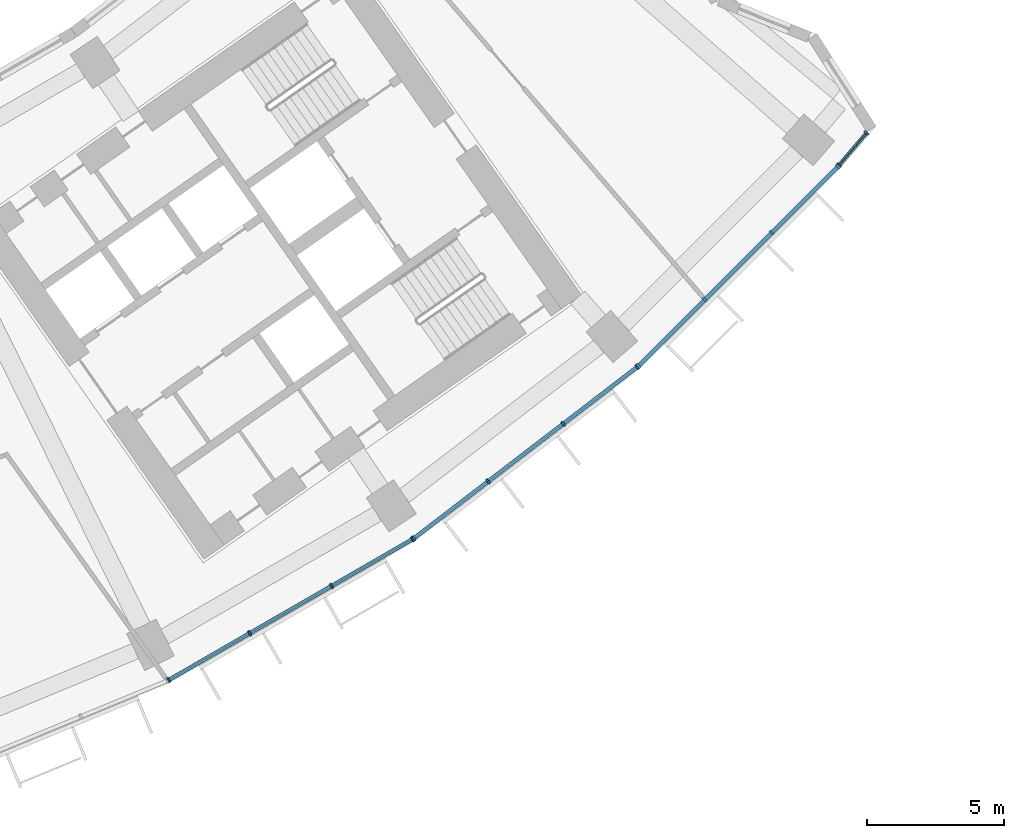
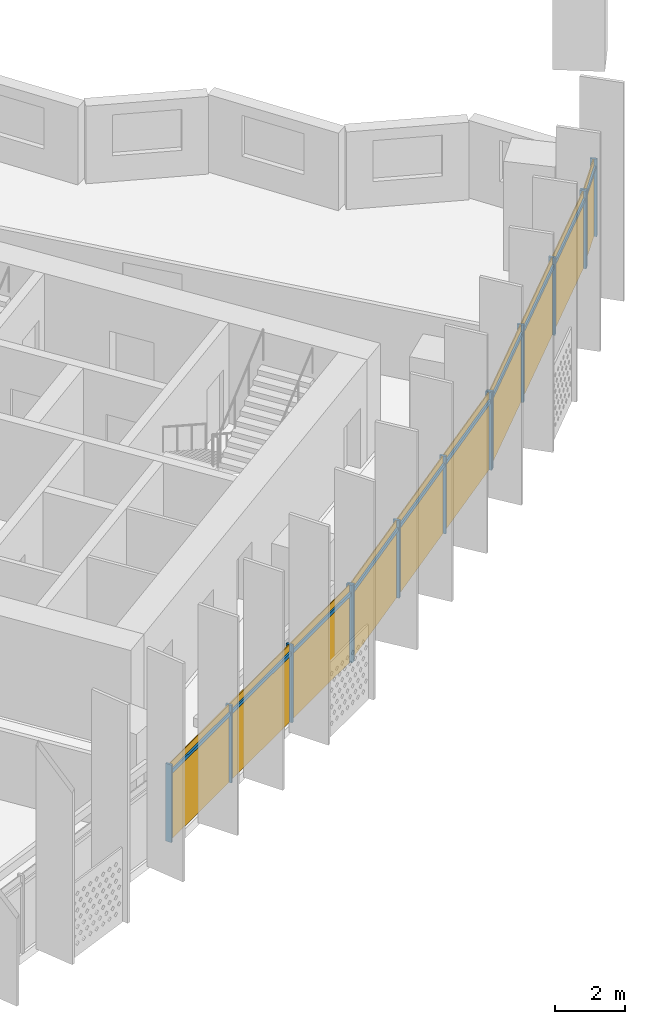
# One storey, part 22 of 30: 24 members, 4 curtain walls.
"""IFC4 building model written with IfcOpenShell, lengths in metres."""

from ifc_helpers import new_model, si_unit, direction, frame, origin, origin_2d, place, context, subcontext, project, spatial, rectangle, extrude, material, material_profile, profile_set, type_object, element, aggregate, save


model = new_model("IFC4")

# Units and contexts
model_context = context("Model", 3, precision=1e-05, world=origin(), true_north=direction((0.0, 1.0)))
body_context = subcontext(model_context, "Body", "Model", "MODEL_VIEW")
ifc_project = project(units=[si_unit("LENGTHUNIT", "METRE"), si_unit("AREAUNIT", "SQUARE_METRE"), si_unit("VOLUMEUNIT", "CUBIC_METRE"), si_unit("PLANEANGLEUNIT", "RADIAN"), si_unit("MASSUNIT", "GRAM", prefix="KILO")], contexts=[model_context])

# Member
ifc_material = material(Name="Aluminium 6063-T6 anodised", Category="aluminium")
ifc_material_profile_1 = material_profile(ifc_material, rectangle(XDim=0.199951171875, YDim=0.070068359375, at=origin_2d()))
ifc_profile_set_1 = profile_set([ifc_material_profile_1], Name="Aluminium 6063-T6 anodised")
member_type_1 = type_object("IfcMemberType", Name="Mullion 70 x 200 aluminium", PredefinedType="MULLION", material=ifc_profile_set_1)
site_placement = place(None, origin())
building_placement = place(site_placement, origin())
storey_placement = place(building_placement, frame((0.0, 0.0, 102.5)))
member_1_placement = place(storey_placement, frame((35.0537109375, -71.017822265625, 0.0), z_axis=(0.0, 0.0, 1.0), x_axis=(-0.5, 0.866025403784, 0.0)))
member_1 = element("IfcMember", 1, at=member_1_placement, type_object=member_type_1, Name="e-cw1-L22-out13/M00", PredefinedType="MULLION", context=body_context, shape_type="SweptSolid", body=[
    extrude(rectangle(XDim=0.199951171875, YDim=0.070068359375, at=origin_2d()), origin(), (0.0, 0.0, 1.0), 2.699951171875),
])

member_2_placement = place(storey_placement, frame((38.017822265625, -69.306640625, 0.0), z_axis=(0.0, 0.0, 1.0), x_axis=(-0.5, 0.866025403784, 0.0)))
member_2 = element("IfcMember", 2, at=member_2_placement, type_object=member_type_1, Name="e-cw1-L22-out13/M01", PredefinedType="MULLION", context=body_context, shape_type="SweptSolid", body=[
    extrude(rectangle(XDim=0.199951171875, YDim=0.070068359375, at=origin_2d()), origin(), (0.0, 0.0, 1.0), 2.699951171875),
])

member_3_placement = place(storey_placement, frame((41.01220703125, -67.577880859375, 0.0), z_axis=(0.0, 0.0, 1.0), x_axis=(-0.5, 0.866025403784, 0.0)))
member_3 = element("IfcMember", 3, at=member_3_placement, type_object=member_type_1, Name="e-cw1-L22-out13/M02", PredefinedType="MULLION", context=body_context, shape_type="SweptSolid", body=[
    extrude(rectangle(XDim=0.199951171875, YDim=0.070068359375, at=origin_2d()), origin(), (0.0, 0.0, 1.0), 2.699951171875),
])

member_4_placement = place(storey_placement, frame((43.976318359375, -65.866455078125, 0.0), z_axis=(0.0, 0.0, 1.0), x_axis=(-0.5, 0.866025403784, 0.0)))
member_4 = element("IfcMember", 4, at=member_4_placement, type_object=member_type_1, Name="e-cw1-L22-out13/M03", PredefinedType="MULLION", context=body_context, shape_type="SweptSolid", body=[
    extrude(rectangle(XDim=0.199951171875, YDim=0.070068359375, at=origin_2d()), origin(), (0.0, 0.0, 1.0), 2.699951171875),
])

member_5_placement = place(storey_placement, frame((44.023681640625, -65.8349609375, 0.0), z_axis=(0.0, 0.0, 1.0), x_axis=(-0.608761429009, 0.793353340291, 0.0)))
member_5 = element("IfcMember", 5, at=member_5_placement, type_object=member_type_1, Name="e-cw1-L22-out14/M00", PredefinedType="MULLION", context=body_context, shape_type="SweptSolid", body=[
    extrude(rectangle(XDim=0.199951171875, YDim=0.070068359375, at=origin_2d()), origin(), (0.0, 0.0, 1.0), 2.699951171875),
])

member_6_placement = place(storey_placement, frame((46.739013671875, -63.751220703125, 0.0), z_axis=(0.0, 0.0, 1.0), x_axis=(-0.608761429009, 0.793353340291, 0.0)))
member_6 = element("IfcMember", 6, at=member_6_placement, type_object=member_type_1, Name="e-cw1-L22-out14/M01", PredefinedType="MULLION", context=body_context, shape_type="SweptSolid", body=[
    extrude(rectangle(XDim=0.199951171875, YDim=0.070068359375, at=origin_2d()), origin(), (0.0, 0.0, 1.0), 2.699951171875),
])

member_7_placement = place(storey_placement, frame((49.482177734375, -61.646484375, 0.0), z_axis=(0.0, 0.0, 1.0), x_axis=(-0.608761429009, 0.793353340291, 0.0)))
member_7 = element("IfcMember", 7, at=member_7_placement, type_object=member_type_1, Name="e-cw1-L22-out14/M02", PredefinedType="MULLION", context=body_context, shape_type="SweptSolid", body=[
    extrude(rectangle(XDim=0.199951171875, YDim=0.070068359375, at=origin_2d()), origin(), (0.0, 0.0, 1.0), 2.699951171875),
])

member_8_placement = place(storey_placement, frame((52.197509765625, -59.56298828125, 0.0), z_axis=(0.0, 0.0, 1.0), x_axis=(-0.608761429009, 0.793353340291, 0.0)))
member_8 = element("IfcMember", 8, at=member_8_placement, type_object=member_type_1, Name="e-cw1-L22-out14/M03", PredefinedType="MULLION", context=body_context, shape_type="SweptSolid", body=[
    extrude(rectangle(XDim=0.199951171875, YDim=0.070068359375, at=origin_2d()), origin(), (0.0, 0.0, 1.0), 2.699951171875),
])

member_9_placement = place(storey_placement, frame((52.240234375, -59.525390625, 0.0), z_axis=(0.0, 0.0, 1.0), x_axis=(-0.707106781187, 0.707106781187, 0.0)))
member_9 = element("IfcMember", 9, at=member_9_placement, type_object=member_type_1, Name="e-cw1-L22-out15/M00", PredefinedType="MULLION", context=body_context, shape_type="SweptSolid", body=[
    extrude(rectangle(XDim=0.199951171875, YDim=0.070068359375, at=origin_2d()), origin(), (0.0, 0.0, 1.0), 2.699951171875),
])

member_10_placement = place(storey_placement, frame((54.660400390625, -57.105224609375, 0.0), z_axis=(0.0, 0.0, 1.0), x_axis=(-0.707106781187, 0.707106781187, 0.0)))
member_10 = element("IfcMember", 10, at=member_10_placement, type_object=member_type_1, Name="e-cw1-L22-out15/M01", PredefinedType="MULLION", context=body_context, shape_type="SweptSolid", body=[
    extrude(rectangle(XDim=0.199951171875, YDim=0.070068359375, at=origin_2d()), origin(), (0.0, 0.0, 1.0), 2.699951171875),
])

member_11_placement = place(storey_placement, frame((57.105224609375, -54.660400390625, 0.0), z_axis=(0.0, 0.0, 1.0), x_axis=(-0.707106781187, 0.707106781187, 0.0)))
member_11 = element("IfcMember", 11, at=member_11_placement, type_object=member_type_1, Name="e-cw1-L22-out15/M02", PredefinedType="MULLION", context=body_context, shape_type="SweptSolid", body=[
    extrude(rectangle(XDim=0.199951171875, YDim=0.070068359375, at=origin_2d()), origin(), (0.0, 0.0, 1.0), 2.699951171875),
])

member_12_placement = place(storey_placement, frame((59.525390625, -52.240234375, 0.0), z_axis=(0.0, 0.0, 1.0), x_axis=(-0.707106781187, 0.707106781187, 0.0)))
member_12 = element("IfcMember", 12, at=member_12_placement, type_object=member_type_1, Name="e-cw1-L22-out15/M03", PredefinedType="MULLION", context=body_context, shape_type="SweptSolid", body=[
    extrude(rectangle(XDim=0.199951171875, YDim=0.070068359375, at=origin_2d()), origin(), (0.0, 0.0, 1.0), 2.699951171875),
])

member_13_placement = place(storey_placement, frame((59.567626953125, -52.194580078125, 0.0), z_axis=(0.0, 0.0, 1.0), x_axis=(-0.760138256011, 0.649761365233, 0.0)))
member_13 = element("IfcMember", 13, at=member_13_placement, type_object=member_type_1, Name="e-cw1-L22-out16/M00", PredefinedType="MULLION", context=body_context, shape_type="SweptSolid", body=[
    extrude(rectangle(XDim=0.199951171875, YDim=0.070068359375, at=origin_2d()), origin(), (0.0, 0.0, 1.0), 2.699951171875),
])

member_14_placement = place(storey_placement, frame((60.578369140625, -51.011962890625, 0.0), z_axis=(0.0, 0.0, 1.0), x_axis=(-0.760138256011, 0.649761365233, 0.0)))
member_14 = element("IfcMember", 14, at=member_14_placement, type_object=member_type_1, Name="e-cw1-L22-out16/M01", PredefinedType="MULLION", context=body_context, shape_type="SweptSolid", body=[
    extrude(rectangle(XDim=0.199951171875, YDim=0.070068359375, at=origin_2d()), origin(), (0.0, 0.0, 1.0), 2.699951171875),
])

ifc_material_profile_2 = material_profile(ifc_material, rectangle(XDim=0.139892578125, YDim=0.1201171875, at=origin_2d()))
ifc_profile_set_2 = profile_set([ifc_material_profile_2], Name="Aluminium 6063-T6 anodised")
member_type_2 = type_object("IfcMemberType", Name="Transom 120 x 140 aluminium", PredefinedType="USERDEFINED", material=ifc_profile_set_2)
member_15_placement = place(storey_placement, frame((35.084228515625, -71.00048828125, 2.39990234375), z_axis=(0.865989120267, 0.50006283963, 0.0), x_axis=(-0.50006283963, 0.865989120267, 0.0)))
member_15 = element("IfcMember", 15, at=member_15_placement, type_object=member_type_2, Name="e-cw1-L22-out13/T00", ObjectType="TRANSOM", PredefinedType="USERDEFINED", context=body_context, shape_type="SweptSolid", body=[
    extrude(rectangle(XDim=0.139892578125, YDim=0.1201171875, at=origin_2d()), origin(), (0.0, 0.0, 1.0), 3.3525390625),
])

member_16_placement = place(storey_placement, frame((38.048095703125, -69.2890625, 2.39990234375), z_axis=(0.866025971257, 0.499999017107, 0.0), x_axis=(-0.499999017107, 0.866025971257, 0.0)))
member_16 = element("IfcMember", 16, at=member_16_placement, type_object=member_type_2, Name="e-cw1-L22-out13/T01", ObjectType="TRANSOM", PredefinedType="USERDEFINED", context=body_context, shape_type="SweptSolid", body=[
    extrude(rectangle(XDim=0.139892578125, YDim=0.1201171875, at=origin_2d()), origin(), (0.0, 0.0, 1.0), 3.3876953125),
])

member_17_placement = place(storey_placement, frame((41.042724609375, -67.560302734375, 2.39990234375), z_axis=(0.866020654818, 0.50000822536, 0.0), x_axis=(-0.50000822536, 0.866020654818, 0.0)))
member_17 = element("IfcMember", 17, at=member_17_placement, type_object=member_type_2, Name="e-cw1-L22-out13/T02", ObjectType="TRANSOM", PredefinedType="USERDEFINED", context=body_context, shape_type="SweptSolid", body=[
    extrude(rectangle(XDim=0.139892578125, YDim=0.1201171875, at=origin_2d()), origin(), (0.0, 0.0, 1.0), 3.3525390625),
])

member_18_placement = place(storey_placement, frame((44.05126953125, -65.8134765625, 2.39990234375), z_axis=(0.793389477316, 0.608714331426, 0.0), x_axis=(-0.608714331426, 0.793389477316, 0.0)))
member_18 = element("IfcMember", 18, at=member_18_placement, type_object=member_type_2, Name="e-cw1-L22-out14/T00", ObjectType="TRANSOM", PredefinedType="USERDEFINED", context=body_context, shape_type="SweptSolid", body=[
    extrude(rectangle(XDim=0.139892578125, YDim=0.1201171875, at=origin_2d()), origin(), (0.0, 0.0, 1.0), 3.3525390625),
])

member_19_placement = place(storey_placement, frame((46.766845703125, -63.72998046875, 2.39990234375), z_axis=(0.793344133173, 0.608773427772, 0.0), x_axis=(-0.608773427772, 0.793344133173, 0.0)))
member_19 = element("IfcMember", 19, at=member_19_placement, type_object=member_type_2, Name="e-cw1-L22-out14/T01", ObjectType="TRANSOM", PredefinedType="USERDEFINED", context=body_context, shape_type="SweptSolid", body=[
    extrude(rectangle(XDim=0.139892578125, YDim=0.1201171875, at=origin_2d()), origin(), (0.0, 0.0, 1.0), 3.387451171875),
])

member_20_placement = place(storey_placement, frame((49.509765625, -61.625244140625, 2.39990234375), z_axis=(0.793354308621, 0.608760167055, 0.0), x_axis=(-0.608760167055, 0.793354308621, 0.0)))
member_20 = element("IfcMember", 20, at=member_20_placement, type_object=member_type_2, Name="e-cw1-L22-out14/T02", ObjectType="TRANSOM", PredefinedType="USERDEFINED", context=body_context, shape_type="SweptSolid", body=[
    extrude(rectangle(XDim=0.139892578125, YDim=0.1201171875, at=origin_2d()), origin(), (0.0, 0.0, 1.0), 3.352783203125),
])

member_21_placement = place(storey_placement, frame((52.264892578125, -59.500732421875, 2.39990234375), z_axis=(0.707106781187, 0.707106781187, 0.0), x_axis=(-0.707106781187, 0.707106781187, 0.0)))
member_21 = element("IfcMember", 21, at=member_21_placement, type_object=member_type_2, Name="e-cw1-L22-out15/T00", ObjectType="TRANSOM", PredefinedType="USERDEFINED", context=body_context, shape_type="SweptSolid", body=[
    extrude(rectangle(XDim=0.139892578125, YDim=0.1201171875, at=origin_2d()), origin(), (0.0, 0.0, 1.0), 3.3525390625),
])

member_22_placement = place(storey_placement, frame((54.68505859375, -57.08056640625, 2.39990234375), z_axis=(0.707106781187, 0.707106781187, 0.0), x_axis=(-0.707106781187, 0.707106781187, 0.0)))
member_22 = element("IfcMember", 22, at=member_22_placement, type_object=member_type_2, Name="e-cw1-L22-out15/T01", ObjectType="TRANSOM", PredefinedType="USERDEFINED", context=body_context, shape_type="SweptSolid", body=[
    extrude(rectangle(XDim=0.139892578125, YDim=0.1201171875, at=origin_2d()), origin(), (0.0, 0.0, 1.0), 3.3876953125),
])

member_23_placement = place(storey_placement, frame((57.130126953125, -54.635498046875, 2.39990234375), z_axis=(0.707106781187, 0.707106781187, 0.0), x_axis=(-0.707106781187, 0.707106781187, 0.0)))
member_23 = element("IfcMember", 23, at=member_23_placement, type_object=member_type_2, Name="e-cw1-L22-out15/T02", ObjectType="TRANSOM", PredefinedType="USERDEFINED", context=body_context, shape_type="SweptSolid", body=[
    extrude(rectangle(XDim=0.139892578125, YDim=0.1201171875, at=origin_2d()), origin(), (0.0, 0.0, 1.0), 3.3525390625),
])

member_24_placement = place(storey_placement, frame((59.59033203125, -52.16796875, 2.39990234375), z_axis=(0.649735207577, 0.760160614631, 0.0), x_axis=(-0.760160614631, 0.649735207577, 0.0)))
member_24 = element("IfcMember", 24, at=member_24_placement, type_object=member_type_2, Name="e-cw1-L22-out16/T00", ObjectType="TRANSOM", PredefinedType="USERDEFINED", context=body_context, shape_type="SweptSolid", body=[
    extrude(rectangle(XDim=0.139892578125, YDim=0.1201171875, at=origin_2d()), origin(), (0.0, 0.0, 1.0), 1.48583984375),
])

# Site, building, storey
site = spatial("IfcSite", under=ifc_project, at=site_placement, CompositionType="ELEMENT")
building = spatial("IfcBuilding", under=site, at=building_placement, Name="Qamariyya Broadcast Tower", CompositionType="ELEMENT")
storey = spatial("IfcBuildingStorey", under=building, at=storey_placement, Name="L22", CompositionType="ELEMENT", Elevation=102.5)

# Curtain wall
curtain_wall_type = type_object("IfcCurtainWallType", Name="Unitised curtain wall, anodised aluminium", PredefinedType="NOTDEFINED", material=ifc_material)
curtain_wall_1_placement = place(storey_placement, origin())
curtain_wall_1 = element("IfcCurtainWall", 25, at=curtain_wall_1_placement, inside=storey, type_object=curtain_wall_type, Name="e-cw1-L22-out13", PredefinedType="NOTDEFINED", context=body_context, shape_type="SweptSolid", body=[
    extrude(rectangle(XDim=3.352783203125, YDim=0.031982421875, at=origin_2d()), frame((36.535888671875, -70.162109375, 0.0), x_axis=(0.866027243369, 0.499996813733, 0.0)), (0.0, 0.0, 1.0), 2.340087890625),
    extrude(rectangle(XDim=3.352783203125, YDim=0.031982421875, at=origin_2d()), frame((36.535888671875, -70.162109375, 2.4599609375), x_axis=(0.866027243369, 0.499996813733, 0.0)), (0.0, 0.0, 1.0), 0.239990234375),
    extrude(rectangle(XDim=3.3876953125, YDim=0.031982421875, at=origin_2d()), frame((39.51513671875, -68.442138671875, 0.0), x_axis=(0.866027243369, 0.499996813733, 0.0)), (0.0, 0.0, 1.0), 2.340087890625),
    extrude(rectangle(XDim=3.3876953125, YDim=0.031982421875, at=origin_2d()), frame((39.51513671875, -68.442138671875, 2.4599609375), x_axis=(0.866027243369, 0.499996813733, 0.0)), (0.0, 0.0, 1.0), 0.239990234375),
    extrude(rectangle(XDim=3.352783203125, YDim=0.031982421875, at=origin_2d()), frame((42.494384765625, -66.72216796875, 0.0), x_axis=(0.866027243369, 0.499996813733, 0.0)), (0.0, 0.0, 1.0), 2.340087890625),
    extrude(rectangle(XDim=3.352783203125, YDim=0.031982421875, at=origin_2d()), frame((42.494384765625, -66.72216796875, 2.4599609375), x_axis=(0.866027243369, 0.499996813733, 0.0)), (0.0, 0.0, 1.0), 0.239990234375),
])

aggregate(curtain_wall_1, [member_1, member_2, member_3, member_4, member_15, member_16, member_17])

curtain_wall_2_placement = place(storey_placement, origin())
curtain_wall_2 = element("IfcCurtainWall", 26, at=curtain_wall_2_placement, inside=storey, type_object=curtain_wall_type, Name="e-cw1-L22-out14", PredefinedType="NOTDEFINED", context=body_context, shape_type="SweptSolid", body=[
    extrude(rectangle(XDim=3.352783203125, YDim=0.031982421875, at=origin_2d()), frame((45.38134765625, -64.793212890625, 0.0), x_axis=(0.793354000839, 0.608760568165, 0.0)), (0.0, 0.0, 1.0), 2.340087890625),
    extrude(rectangle(XDim=3.352783203125, YDim=0.031982421875, at=origin_2d()), frame((45.38134765625, -64.793212890625, 2.4599609375), x_axis=(0.793354000839, 0.608760568165, 0.0)), (0.0, 0.0, 1.0), 0.239990234375),
    extrude(rectangle(XDim=3.3876953125, YDim=0.031982421875, at=origin_2d()), frame((48.110595703125, -62.69873046875, 0.0), x_axis=(0.793354000839, 0.608760568165, 0.0)), (0.0, 0.0, 1.0), 2.340087890625),
    extrude(rectangle(XDim=3.3876953125, YDim=0.031982421875, at=origin_2d()), frame((48.110595703125, -62.69873046875, 2.4599609375), x_axis=(0.793354000839, 0.608760568165, 0.0)), (0.0, 0.0, 1.0), 0.239990234375),
    extrude(rectangle(XDim=3.352783203125, YDim=0.031982421875, at=origin_2d()), frame((50.83984375, -60.6044921875, 0.0), x_axis=(0.793354000839, 0.608760568165, 0.0)), (0.0, 0.0, 1.0), 2.340087890625),
    extrude(rectangle(XDim=3.352783203125, YDim=0.031982421875, at=origin_2d()), frame((50.83984375, -60.6044921875, 2.4599609375), x_axis=(0.793354000839, 0.608760568165, 0.0)), (0.0, 0.0, 1.0), 0.239990234375),
])

aggregate(curtain_wall_2, [member_5, member_6, member_7, member_8, member_18, member_19, member_20])

curtain_wall_3_placement = place(storey_placement, origin())
curtain_wall_3 = element("IfcCurtainWall", 27, at=curtain_wall_3_placement, inside=storey, type_object=curtain_wall_type, Name="e-cw1-L22-out15", PredefinedType="NOTDEFINED", context=body_context, shape_type="SweptSolid", body=[
    extrude(rectangle(XDim=3.352783203125, YDim=0.031982421875, at=origin_2d()), frame((53.4501953125, -58.3154296875, 0.0), x_axis=(0.707106781187, 0.707106781187, 0.0)), (0.0, 0.0, 1.0), 2.340087890625),
    extrude(rectangle(XDim=3.352783203125, YDim=0.031982421875, at=origin_2d()), frame((53.4501953125, -58.3154296875, 2.4599609375), x_axis=(0.707106781187, 0.707106781187, 0.0)), (0.0, 0.0, 1.0), 0.239990234375),
    extrude(rectangle(XDim=3.3876953125, YDim=0.031982421875, at=origin_2d()), frame((55.8828125, -55.8828125, 0.0), x_axis=(0.707106781187, 0.707106781187, 0.0)), (0.0, 0.0, 1.0), 2.340087890625),
    extrude(rectangle(XDim=3.3876953125, YDim=0.031982421875, at=origin_2d()), frame((55.8828125, -55.8828125, 2.4599609375), x_axis=(0.707106781187, 0.707106781187, 0.0)), (0.0, 0.0, 1.0), 0.239990234375),
    extrude(rectangle(XDim=3.352783203125, YDim=0.031982421875, at=origin_2d()), frame((58.3154296875, -53.4501953125, 0.0), x_axis=(0.707106781187, 0.707106781187, 0.0)), (0.0, 0.0, 1.0), 2.340087890625),
    extrude(rectangle(XDim=3.352783203125, YDim=0.031982421875, at=origin_2d()), frame((58.3154296875, -53.4501953125, 2.4599609375), x_axis=(0.707106781187, 0.707106781187, 0.0)), (0.0, 0.0, 1.0), 0.239990234375),
])

aggregate(curtain_wall_3, [member_9, member_10, member_11, member_12, member_21, member_22, member_23])

curtain_wall_4_placement = place(storey_placement, origin())
curtain_wall_4 = element("IfcCurtainWall", 28, at=curtain_wall_4_placement, inside=storey, type_object=curtain_wall_type, Name="e-cw1-L22-out16", PredefinedType="NOTDEFINED", context=body_context, shape_type="SweptSolid", body=[
    extrude(rectangle(XDim=1.485595703125, YDim=0.031982421875, at=origin_2d()), frame((60.072998046875, -51.603271484375, 0.0), x_axis=(0.649677577162, 0.760209869532, 0.0)), (0.0, 0.0, 1.0), 2.340087890625),
    extrude(rectangle(XDim=1.485595703125, YDim=0.031982421875, at=origin_2d()), frame((60.072998046875, -51.603271484375, 2.4599609375), x_axis=(0.649677577162, 0.760209869532, 0.0)), (0.0, 0.0, 1.0), 0.239990234375),
])

aggregate(curtain_wall_4, [member_13, member_14, member_24])

save(model, "model.ifc")
